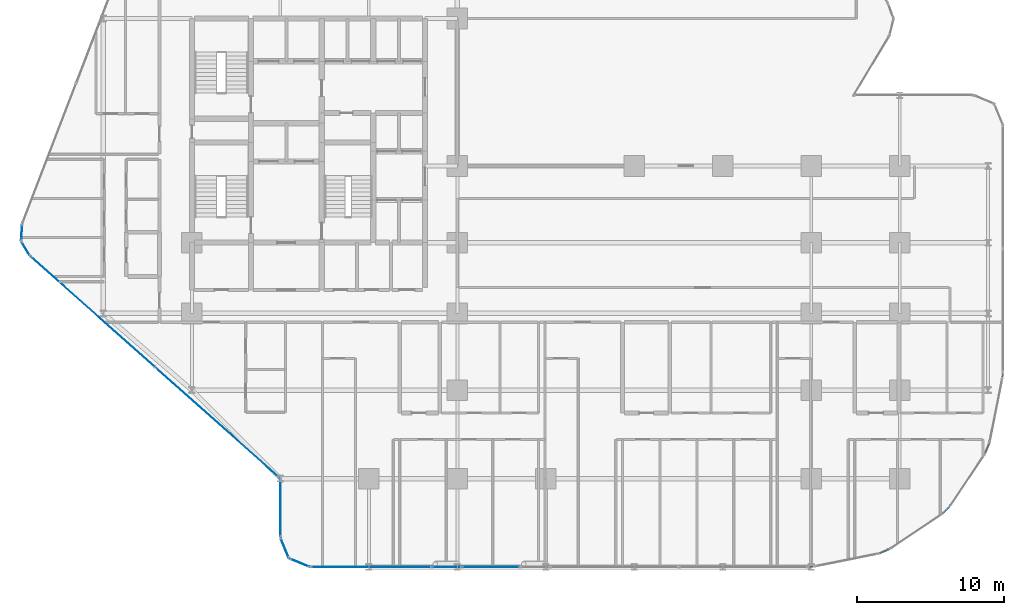
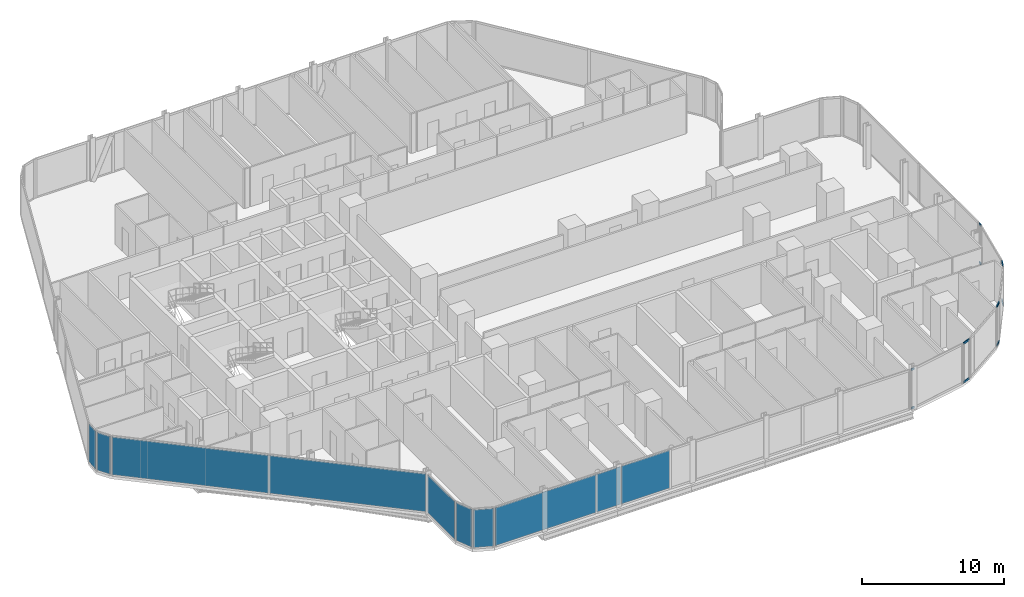
# One storey, part 20 of 33: 10 members, 10 plates, 14 elements without a shape of their own.
"""IFC4 building model written with IfcOpenShell, lengths in metres."""

import ifcopenshell
import ifcopenshell.guid

model = None  # the IFC model being written
_history = None  # IfcOwnerHistory: only IFC2X3 demands one
_inside = {}  # id of a spatial element -> (the spatial element, [elements in it])
_under = {}  # id of a project, library or spatial element -> (it, [spatial elements below it])
_declared = {}  # id of a project -> (the project, [libraries it declares])
_typed = {}  # id of a type object -> (the type object, [elements of that type])
_made_of = {}  # id of a material, layer set ... -> (it, [elements and type objects made of it])


def new_model(schema):
    """Start an empty IFC model of exactly this schema.

    Asked for "IFC4X3", IfcOpenShell would pick the latest addendum, in which some entities
    have other attributes; the version numbers below select the first issue.
    IFC2X3 requires an IfcOwnerHistory on every rooted entity: one is made here for all.
    """
    global model, _history
    if schema == "IFC4X3":
        model = ifcopenshell.file(schema_version=(4, 3, 0, 0))
    else:
        model = ifcopenshell.file(schema=schema)
    _inside.clear()
    _under.clear()
    _declared.clear()
    _typed.clear()
    _made_of.clear()
    _history = None
    if model.schema == "IFC2X3":
        org = make("IfcOrganization", Name="unknown")
        user = make(
            "IfcPersonAndOrganization",
            ThePerson=make("IfcPerson", FamilyName="unknown"),
            TheOrganization=org,
        )
        app = make(
            "IfcApplication",
            ApplicationDeveloper=org,
            Version="unknown",
            ApplicationFullName="unknown",
            ApplicationIdentifier="unknown",
        )
        _history = make(
            "IfcOwnerHistory",
            OwningUser=user,
            OwningApplication=app,
            ChangeAction="ADDED",
            CreationDate=0,
        )
    return model


def make(cls, **values):
    """One entity of the class cls with the attributes given. An attribute that is None is left unset."""
    return model.create_entity(
        cls, **{name: value for name, value in values.items() if value is not None}
    )


def rooted(cls, **values):
    """An entity with a GlobalId (a new one), such as an element, a storey or a relation."""
    return make(cls, GlobalId=ifcopenshell.guid.new(), OwnerHistory=_history, **values)


def si_unit(unit_type, name, prefix=None):
    """IfcSIUnit, for example si_unit("LENGTHUNIT", "METRE", prefix="MILLI")."""
    return make("IfcSIUnit", UnitType=unit_type, Prefix=prefix, Name=name)


def assignment(units):
    """IfcUnitAssignment: the units of a project."""
    return None if units is None else make("IfcUnitAssignment", Units=units)


def point(xyz):
    """IfcCartesianPoint."""
    return None if xyz is None else make("IfcCartesianPoint", Coordinates=xyz)


def direction(xyz):
    """IfcDirection."""
    return None if xyz is None else make("IfcDirection", DirectionRatios=xyz)


def frame(location, z_axis=None, x_axis=None):
    """IfcAxis2Placement3D, a coordinate frame: its origin and axes. An axis left out is left unset."""
    return make(
        "IfcAxis2Placement3D",
        Location=point(location),
        Axis=direction(z_axis),
        RefDirection=direction(x_axis),
    )


def frame_2d(location, x_axis=None):
    """IfcAxis2Placement2D, a coordinate frame in the plane: its origin and x axis."""
    return make(
        "IfcAxis2Placement2D", Location=point(location), RefDirection=direction(x_axis)
    )


def origin():
    """The frame at (0, 0, 0) with its axes left unset."""
    return frame((0.0, 0.0, 0.0))


def origin_2d():
    """The frame at (0, 0) in the plane with its x axis left unset."""
    return frame_2d((0.0, 0.0))


def place(relative_to, where):
    """IfcLocalPlacement: puts the frame where relative to a parent placement (None: the world)."""
    return make(
        "IfcLocalPlacement", PlacementRelTo=relative_to, RelativePlacement=where
    )


def context(
    kind, dimensions, precision=None, world=None, true_north=None, identifier=None
):
    """IfcGeometricRepresentationContext, for example the 3D "Model" context."""
    return make(
        "IfcGeometricRepresentationContext",
        ContextIdentifier=identifier,
        ContextType=kind,
        CoordinateSpaceDimension=dimensions,
        Precision=precision,
        WorldCoordinateSystem=world,
        TrueNorth=true_north,
    )


def subcontext(parent, identifier, kind, view, scale=None):
    """IfcGeometricRepresentationSubContext, for example "Body" below "Model"."""
    return make(
        "IfcGeometricRepresentationSubContext",
        ContextIdentifier=identifier,
        ContextType=kind,
        ParentContext=parent,
        TargetScale=scale,
        TargetView=view,
    )


def project(units=None, contexts=None):
    """IfcProject with its units and contexts."""
    return rooted(
        "IfcProject",
        Name="project",
        RepresentationContexts=contexts,
        UnitsInContext=assignment(units),
    )


def spatial(cls, under=None, at=None, **own):
    """A site, building, storey or space (cls), placed at a placement, below another one or the project."""
    s = rooted(cls, ObjectPlacement=at, **own)
    if under is not None:
        _under.setdefault(under.id(), (under, []))[1].append(s)
    return s


def profile(cls, at=None, kind="AREA", **sizes):
    """A parametric profile (cls). Its sizes go by their IFC names, for example OverallWidth=200.0."""
    return make(cls, ProfileType=kind, Position=at, **sizes)


def rectangle(**sizes):
    """IfcRectangleProfileDef."""
    return profile("IfcRectangleProfileDef", **sizes)


def hollow_rectangle(**sizes):
    """IfcRectangleHollowProfileDef."""
    return profile("IfcRectangleHollowProfileDef", **sizes)


def extrude(swept, where, along, depth):
    """IfcExtrudedAreaSolid: the profile swept, set in the frame where, extruded along a direction by depth."""
    return make(
        "IfcExtrudedAreaSolid",
        SweptArea=swept,
        Position=where,
        ExtrudedDirection=direction(along),
        Depth=depth,
    )


def shape(context_of_items, identifier, shape_type, items):
    """IfcShapeRepresentation: the items that make up one representation, for example the "Body"."""
    return make(
        "IfcShapeRepresentation",
        ContextOfItems=context_of_items,
        RepresentationIdentifier=identifier,
        RepresentationType=shape_type,
        Items=items,
    )


def material(Name=None, Category=None):
    """IfcMaterial."""
    return make("IfcMaterial", Name=Name, Category=Category)


def layer(
    of_material, thickness, ventilated=None, Name=None, Category=None, Priority=None
):
    """IfcMaterialLayer: one layer of a wall or slab, of a material (None: an air gap)."""
    return make(
        "IfcMaterialLayer",
        Material=of_material,
        LayerThickness=thickness,
        IsVentilated=ventilated,
        Name=Name,
        Category=Category,
        Priority=Priority,
    )


def layer_set(layers, Name=None):
    """IfcMaterialLayerSet."""
    return make("IfcMaterialLayerSet", MaterialLayers=layers, LayerSetName=Name)


def material_profile(
    of_material, cross_section, Name=None, Category=None, Priority=None
):
    """IfcMaterialProfile: a cross section and its material."""
    return make(
        "IfcMaterialProfile",
        Name=Name,
        Material=of_material,
        Profile=cross_section,
        Priority=Priority,
        Category=Category,
    )


def profile_set(profiles, Name=None, composite=None):
    """IfcMaterialProfileSet."""
    return make(
        "IfcMaterialProfileSet",
        Name=Name,
        MaterialProfiles=profiles,
        CompositeProfile=composite,
    )


def made_of(thing, what):
    """Note that an element or type object is made of a material, layer set ...; save() writes the relation."""
    if what is not None:
        _made_of.setdefault(what.id(), (what, []))[1].append(thing)
    return thing


def type_object(cls, material=None, **own):
    """A type object (cls), such as IfcWallType, which elements share."""
    return made_of(rooted(cls, **own), material)


def element(
    cls,
    number,
    at=None,
    inside=None,
    cuts=None,
    type_object=None,
    material=None,
    context=None,
    identifier="Body",
    shape_type=None,
    held_by="IfcProductDefinitionShape",
    body=None,
    shapes=None,
    **own,
):
    """One element of the class cls, such as IfcWall. Its Tag is "e" and its number.

    at: its placement. inside: the storey or other place that contains it. cuts: it is an
    opening in that element (IfcRelVoidsElement). A single representation is given by context,
    identifier, shape_type and body (its items); several are given by shapes. held_by: the class
    of the entity that holds the representations. save() writes the other relations.
    """
    e = rooted(cls, Tag="e%d" % number, ObjectPlacement=at, **own)
    if body is not None:
        shapes = [shape(context, identifier, shape_type, body)]
    if shapes is not None:
        e.Representation = make(held_by, Representations=shapes)
    if inside is not None:
        _inside.setdefault(inside.id(), (inside, []))[1].append(e)
    if cuts is not None:
        rooted(
            "IfcRelVoidsElement", RelatingBuildingElement=cuts, RelatedOpeningElement=e
        )
    if type_object is not None:
        _typed.setdefault(type_object.id(), (type_object, []))[1].append(e)
    return made_of(e, material)


def aggregate(whole, parts):
    """IfcRelAggregates: a whole, such as a stair, and the parts it consists of."""
    return rooted("IfcRelAggregates", RelatingObject=whole, RelatedObjects=parts)


def save(model, path):
    """Write the relations noted so far, then the file.

    IfcRelAggregates (storeys below a building ...), IfcRelContainedInSpatialStructure (elements
    in a storey), IfcRelDefinesByType, IfcRelAssociatesMaterial and IfcRelDeclares: one each for
    every whole, place, type object, material and project.
    """
    for whole, parts in _under.values():
        aggregate(whole, parts)
    for where, things in _inside.values():
        rooted(
            "IfcRelContainedInSpatialStructure",
            RelatedElements=things,
            RelatingStructure=where,
        )
    for kind, things in _typed.values():
        rooted("IfcRelDefinesByType", RelatedObjects=things, RelatingType=kind)
    for what, things in _made_of.values():
        rooted("IfcRelAssociatesMaterial", RelatedObjects=things, RelatingMaterial=what)
    for by, libraries in _declared.values():
        rooted("IfcRelDeclares", RelatingContext=by, RelatedDefinitions=libraries)
    model.write(path)


model = new_model("IFC4")

# Units and contexts
model_context = context("Model", 3, precision=1e-05, world=origin(), true_north=direction((0.0, 1.0)))
body_context = subcontext(model_context, "Body", "Model", "MODEL_VIEW")
ifc_project = project(units=[si_unit("LENGTHUNIT", "METRE"), si_unit("AREAUNIT", "SQUARE_METRE"), si_unit("VOLUMEUNIT", "CUBIC_METRE"), si_unit("PLANEANGLEUNIT", "RADIAN"), si_unit("MASSUNIT", "GRAM", prefix="KILO")], contexts=[model_context])

# Site, building, storey
site_placement = place(None, origin())
site = spatial("IfcSite", under=ifc_project, at=site_placement, CompositionType="ELEMENT")
building_placement = place(site_placement, origin())
building = spatial("IfcBuilding", under=site, at=building_placement, Name="Keshet Zoharim Tower", CompositionType="ELEMENT")
storey_placement = place(building_placement, frame((0.0, 0.0, 35.10009765625)))
storey = spatial("IfcBuildingStorey", under=building, at=storey_placement, Name="L07", CompositionType="ELEMENT", Elevation=35.10009765625)

# Curtain wall, members
ifc_material_1 = material(Name="Aluminium 6063-T6", Category="aluminium")
ifc_layer_1 = layer(ifc_material_1, 0.169921875)
ifc_layer_set_1 = layer_set([ifc_layer_1], Name="Aluminium 6063-T6")
curtain_wall_type_1 = type_object("IfcCurtainWallType", Name="CW-SYS-02", PredefinedType="NOTDEFINED", material=ifc_layer_set_1)
curtain_wall_1_placement = place(storey_placement, origin())
curtain_wall_1 = element("IfcCurtainWall", 1, at=curtain_wall_1_placement, inside=storey, type_object=curtain_wall_type_1, Name="L07 Unitised Curtain Wall 17", PredefinedType="NOTDEFINED")
ifc_material_profile = material_profile(ifc_material_1, hollow_rectangle(XDim=0.0849609375, YDim=0.159912109375, WallThickness=0.00439453125, at=origin_2d()), Name="TRN-85x160")
ifc_profile_set = profile_set([ifc_material_profile], Name="Aluminium 6063-T6")
member_type = type_object("IfcMemberType", Name="CWT-T16", PredefinedType="USERDEFINED", material=ifc_profile_set)
member_1_placement = place(storey_placement, frame((69.9931640625, 13.827392578125, 0.034912109375), z_axis=(-0.096912647607, -0.995292890929, 0.0), x_axis=(0.995292890929, -0.096912647607, 0.0)))
member_1 = element("IfcMember", 2, at=member_1_placement, type_object=member_type, Name="CW-02 transom 1.1", ObjectType="TRANSOM", PredefinedType="USERDEFINED", context=body_context, shape_type="SweptSolid", body=[
    extrude(hollow_rectangle(XDim=0.0849609375, YDim=0.159912109375, WallThickness=0.00439453125, at=origin_2d()), origin(), (0.0, 0.0, 1.0), 0.251953125),
])
member_2_placement = place(storey_placement, frame((69.9931640625, 13.827392578125, 3.349853515625), z_axis=(-0.096912647607, -0.995292890929, 0.0), x_axis=(0.995292890929, -0.096912647607, 0.0)))
member_2 = element("IfcMember", 3, at=member_2_placement, type_object=member_type, Name="CW-02 transom 1.2", ObjectType="TRANSOM", PredefinedType="USERDEFINED", context=body_context, shape_type="SweptSolid", body=[
    extrude(hollow_rectangle(XDim=0.0849609375, YDim=0.159912109375, WallThickness=0.00439453125, at=origin_2d()), origin(), (0.0, 0.0, 1.0), 0.251953125),
])
aggregate(curtain_wall_1, [member_1, member_2])

ifc_layer_2 = layer(ifc_material_1, 0.179931640625)
ifc_layer_set_2 = layer_set([ifc_layer_2], Name="Aluminium 6063-T6")
curtain_wall_type_2 = type_object("IfcCurtainWallType", Name="CW-SYS-01", PredefinedType="NOTDEFINED", material=ifc_layer_set_2)
curtain_wall_2_placement = place(storey_placement, origin())
curtain_wall_2 = element("IfcCurtainWall", 4, at=curtain_wall_2_placement, inside=storey, type_object=curtain_wall_type_2, Name="L07 Unitised Curtain Wall 19", PredefinedType="NOTDEFINED")
member_3_placement = place(storey_placement, frame((69.061279296875, 9.05029296875, 0.034912109375), z_axis=(-0.383126096215, -0.923696050874, 0.0), x_axis=(0.923696050874, -0.383126096215, 0.0)))
member_3 = element("IfcMember", 5, at=member_3_placement, type_object=member_type, Name="CW-01 transom 1.1", ObjectType="TRANSOM", PredefinedType="USERDEFINED", context=body_context, shape_type="SweptSolid", body=[
    extrude(hollow_rectangle(XDim=0.0849609375, YDim=0.159912109375, WallThickness=0.00439453125, at=origin_2d()), origin(), (0.0, 0.0, 1.0), 0.640380859375),
])
member_4_placement = place(storey_placement, frame((69.061279296875, 9.05029296875, 3.349853515625), z_axis=(-0.383126096215, -0.923696050874, 0.0), x_axis=(0.923696050874, -0.383126096215, 0.0)))
member_4 = element("IfcMember", 6, at=member_4_placement, type_object=member_type, Name="CW-01 transom 1.2", ObjectType="TRANSOM", PredefinedType="USERDEFINED", context=body_context, shape_type="SweptSolid", body=[
    extrude(hollow_rectangle(XDim=0.0849609375, YDim=0.159912109375, WallThickness=0.00439453125, at=origin_2d()), origin(), (0.0, 0.0, 1.0), 0.640380859375),
])
aggregate(curtain_wall_2, [member_3, member_4])

curtain_wall_3_placement = place(storey_placement, origin())
curtain_wall_3 = element("IfcCurtainWall", 7, at=curtain_wall_3_placement, inside=storey, type_object=curtain_wall_type_2, Name="L07 Unitised Curtain Wall 21", PredefinedType="NOTDEFINED")
member_5_placement = place(storey_placement, frame((66.363525390625, 4.78857421875, 0.034912109375), z_axis=(-0.707106781187, -0.707106781187, 0.0), x_axis=(0.707106781187, -0.707106781187, 0.0)))
member_5 = element("IfcMember", 8, at=member_5_placement, type_object=member_type, Name="CW-01 transom 1.1", ObjectType="TRANSOM", PredefinedType="USERDEFINED", context=body_context, shape_type="SweptSolid", body=[
    extrude(hollow_rectangle(XDim=0.0849609375, YDim=0.159912109375, WallThickness=0.00439453125, at=origin_2d()), origin(), (0.0, 0.0, 1.0), 0.639404296875),
])
member_6_placement = place(storey_placement, frame((66.363525390625, 4.78857421875, 3.349853515625), z_axis=(-0.707106781187, -0.707106781187, 0.0), x_axis=(0.707106781187, -0.707106781187, 0.0)))
member_6 = element("IfcMember", 9, at=member_6_placement, type_object=member_type, Name="CW-01 transom 1.2", ObjectType="TRANSOM", PredefinedType="USERDEFINED", context=body_context, shape_type="SweptSolid", body=[
    extrude(hollow_rectangle(XDim=0.0849609375, YDim=0.159912109375, WallThickness=0.00439453125, at=origin_2d()), origin(), (0.0, 0.0, 1.0), 0.639404296875),
])
aggregate(curtain_wall_3, [member_5, member_6])

curtain_wall_4_placement = place(storey_placement, origin())
curtain_wall_4 = element("IfcCurtainWall", 10, at=curtain_wall_4_placement, inside=storey, type_object=curtain_wall_type_2, Name="L07 Unitised Curtain Wall 23", PredefinedType="NOTDEFINED")
member_7_placement = place(storey_placement, frame((62.241455078125, 1.88427734375, 0.034912109375), z_axis=(-0.923751978938, -0.382991228891, 0.0), x_axis=(0.382991228891, -0.923751978938, 0.0)))
member_7 = element("IfcMember", 11, at=member_7_placement, type_object=member_type, Name="CW-01 transom 1.1", ObjectType="TRANSOM", PredefinedType="USERDEFINED", context=body_context, shape_type="SweptSolid", body=[
    extrude(hollow_rectangle(XDim=0.0849609375, YDim=0.159912109375, WallThickness=0.00439453125, at=origin_2d()), origin(), (0.0, 0.0, 1.0), 0.640625),
])
member_8_placement = place(storey_placement, frame((62.241455078125, 1.88427734375, 3.349853515625), z_axis=(-0.923751978938, -0.382991228891, 0.0), x_axis=(0.382991228891, -0.923751978938, 0.0)))
member_8 = element("IfcMember", 12, at=member_8_placement, type_object=member_type, Name="CW-01 transom 1.2", ObjectType="TRANSOM", PredefinedType="USERDEFINED", context=body_context, shape_type="SweptSolid", body=[
    extrude(hollow_rectangle(XDim=0.0849609375, YDim=0.159912109375, WallThickness=0.00439453125, at=origin_2d()), origin(), (0.0, 0.0, 1.0), 0.640625),
])
aggregate(curtain_wall_4, [member_7, member_8])

curtain_wall_5_placement = place(storey_placement, origin())
curtain_wall_5 = element("IfcCurtainWall", 13, at=curtain_wall_5_placement, inside=storey, type_object=curtain_wall_type_2, Name="L07 Unitised Curtain Wall 25", PredefinedType="NOTDEFINED")
member_9_placement = place(storey_placement, frame((57.123291015625, 0.731201171875, 0.034912109375), z_axis=(-0.995292890929, -0.096912647607, 0.0), x_axis=(0.096912647607, -0.995292890929, 0.0)))
member_9 = element("IfcMember", 14, at=member_9_placement, type_object=member_type, Name="CW-01 transom 1.1", ObjectType="TRANSOM", PredefinedType="USERDEFINED", context=body_context, shape_type="SweptSolid", body=[
    extrude(hollow_rectangle(XDim=0.0849609375, YDim=0.159912109375, WallThickness=0.00439453125, at=origin_2d()), origin(), (0.0, 0.0, 1.0), 0.251953125),
])
member_10_placement = place(storey_placement, frame((57.123291015625, 0.731201171875, 3.349853515625), z_axis=(-0.995292890929, -0.096912647607, 0.0), x_axis=(0.096912647607, -0.995292890929, 0.0)))
member_10 = element("IfcMember", 15, at=member_10_placement, type_object=member_type, Name="CW-01 transom 1.2", ObjectType="TRANSOM", PredefinedType="USERDEFINED", context=body_context, shape_type="SweptSolid", body=[
    extrude(hollow_rectangle(XDim=0.0849609375, YDim=0.159912109375, WallThickness=0.00439453125, at=origin_2d()), origin(), (0.0, 0.0, 1.0), 0.251953125),
])
aggregate(curtain_wall_5, [member_9, member_10])

# Curtain wall, plates
curtain_wall_6_placement = place(storey_placement, origin())
curtain_wall_6 = element("IfcCurtainWall", 16, at=curtain_wall_6_placement, inside=storey, type_object=curtain_wall_type_2, Name="L07 Unitised Curtain Wall 01", PredefinedType="NOTDEFINED")
ifc_material_2 = material(Name="Insulated Low-E Clear Glass", Category="glass")
ifc_layer_3 = layer(ifc_material_2, 0.035888671875)
ifc_layer_set_3 = layer_set([ifc_layer_3], Name="Insulated Low-E Clear Glass")
plate_type_1 = type_object("IfcPlateType", Name="CWP-01", PredefinedType="CURTAIN_PANEL", material=ifc_layer_set_3)
plate_1_placement = place(storey_placement, frame((16.74560546875, 10.481689453125, 0.06982421875), z_axis=(0.0, 0.0, 1.0), x_axis=(-0.747409318679, 0.664363838836, 0.0)))
plate_1 = element("IfcPlate", 17, at=plate_1_placement, type_object=plate_type_1, Name="CW-01 panel 1.1", PredefinedType="CURTAIN_PANEL", context=body_context, shape_type="SweptSolid", body=[
    extrude(rectangle(XDim=11.244140625, YDim=0.035888671875, at=origin_2d()), origin(), (0.0, 0.0, 1.0), 3.2451171875),
])
plate_2_placement = place(storey_placement, frame((8.289306640625, 17.998291015625, 0.06982421875), z_axis=(0.0, 0.0, 1.0), x_axis=(-0.747409318679, 0.664363838836, 0.0)))
plate_2 = element("IfcPlate", 18, at=plate_2_placement, type_object=plate_type_1, Name="CW-01 panel 2.1", PredefinedType="CURTAIN_PANEL", context=body_context, shape_type="SweptSolid", body=[
    extrude(rectangle(XDim=11.244140625, YDim=0.035888671875, at=origin_2d()), origin(), (0.0, 0.0, 1.0), 3.2451171875),
])
aggregate(curtain_wall_6, [plate_1, plate_2])

# Curtain wall, plate
curtain_wall_7_placement = place(storey_placement, origin())
curtain_wall_7 = element("IfcCurtainWall", 19, at=curtain_wall_7_placement, inside=storey, type_object=curtain_wall_type_2, Name="L07 Unitised Curtain Wall 02", PredefinedType="NOTDEFINED")
plate_3_placement = place(storey_placement, frame((3.7275390625, 22.291015625, 0.06982421875), z_axis=(0.0, 0.0, 1.0), x_axis=(-0.515604947933, 0.856826433805, 0.0)))
plate_3 = element("IfcPlate", 20, at=plate_3_placement, type_object=plate_type_1, Name="CW-01 panel 1.1", PredefinedType="CURTAIN_PANEL", context=body_context, shape_type="SweptSolid", body=[
    extrude(rectangle(XDim=1.052734375, YDim=0.035888671875, at=origin_2d()), origin(), (0.0, 0.0, 1.0), 3.2451171875),
])
aggregate(curtain_wall_7, [plate_3])

curtain_wall_8_placement = place(storey_placement, origin())
curtain_wall_8 = element("IfcCurtainWall", 21, at=curtain_wall_8_placement, inside=storey, type_object=curtain_wall_type_2, Name="L07 Unitised Curtain Wall 03", PredefinedType="NOTDEFINED")
plate_4_placement = place(storey_placement, frame((3.45849609375, 23.3974609375, 0.06982421875), z_axis=(0.0, 0.0, 1.0), x_axis=(0.064516859374, 0.997916617186, 0.0)))
plate_4 = element("IfcPlate", 22, at=plate_4_placement, type_object=plate_type_1, Name="CW-01 panel 1.1", PredefinedType="CURTAIN_PANEL", context=body_context, shape_type="SweptSolid", body=[
    extrude(rectangle(XDim=1.053466796875, YDim=0.035888671875, at=origin_2d()), origin(), (0.0, 0.0, 1.0), 3.2451171875),
])
aggregate(curtain_wall_8, [plate_4])

curtain_wall_9_placement = place(storey_placement, origin())
curtain_wall_9 = element("IfcCurtainWall", 23, at=curtain_wall_9_placement, inside=storey, type_object=curtain_wall_type_2, Name="L07 Unitised Curtain Wall 26 Part 3", PredefinedType="NOTDEFINED")
plate_5_placement = place(storey_placement, frame((35.284912109375, 0.699951171875, 0.06982421875), z_axis=(0.0, 0.0, 1.0), x_axis=(-1.0, 0.0, 0.0)))
plate_5 = element("IfcPlate", 24, at=plate_5_placement, type_object=plate_type_1, Name="CW-01 panel 1.1", PredefinedType="CURTAIN_PANEL", context=body_context, shape_type="SweptSolid", body=[
    extrude(rectangle(XDim=3.90478515625, YDim=0.035888671875, at=origin_2d()), origin(), (0.0, 0.0, 1.0), 3.2451171875),
])
aggregate(curtain_wall_9, [plate_5])

curtain_wall_10_placement = place(storey_placement, origin())
curtain_wall_10 = element("IfcCurtainWall", 25, at=curtain_wall_10_placement, inside=storey, type_object=curtain_wall_type_2, Name="L07 Unitised Curtain Wall 26 Part 5", PredefinedType="NOTDEFINED")
plate_6_placement = place(storey_placement, frame((27.15380859375, 0.699951171875, 0.06982421875), z_axis=(0.0, 0.0, 1.0), x_axis=(-1.0, 0.0, 0.0)))
plate_6 = element("IfcPlate", 26, at=plate_6_placement, type_object=plate_type_1, Name="CW-01 panel 1.1", PredefinedType="CURTAIN_PANEL", context=body_context, shape_type="SweptSolid", body=[
    extrude(rectangle(XDim=8.16748046875, YDim=0.035888671875, at=origin_2d()), origin(), (0.0, 0.0, 1.0), 3.2451171875),
])
aggregate(curtain_wall_10, [plate_6])

curtain_wall_11_placement = place(storey_placement, origin())
curtain_wall_11 = element("IfcCurtainWall", 27, at=curtain_wall_11_placement, inside=storey, type_object=curtain_wall_type_2, Name="L07 Unitised Curtain Wall 27", PredefinedType="NOTDEFINED")
plate_7_placement = place(storey_placement, frame((22.29296875, 0.992919921875, 0.06982421875), z_axis=(0.0, 0.0, 1.0), x_axis=(-0.92380975372, 0.382851849847, 0.0)))
plate_7 = element("IfcPlate", 28, at=plate_7_placement, type_object=plate_type_1, Name="CW-01 panel 1.1", PredefinedType="CURTAIN_PANEL", context=body_context, shape_type="SweptSolid", body=[
    extrude(rectangle(XDim=1.390625, YDim=0.035888671875, at=origin_2d()), origin(), (0.0, 0.0, 1.0), 3.2451171875),
])
aggregate(curtain_wall_11, [plate_7])

curtain_wall_12_placement = place(storey_placement, origin())
curtain_wall_12 = element("IfcCurtainWall", 29, at=curtain_wall_12_placement, inside=storey, type_object=curtain_wall_type_2, Name="L07 Unitised Curtain Wall 28", PredefinedType="NOTDEFINED")
plate_8_placement = place(storey_placement, frame((21.29296875, 1.992919921875, 0.06982421875), z_axis=(0.0, 0.0, 1.0), x_axis=(-0.382851849847, 0.92380975372, 0.0)))
plate_8 = element("IfcPlate", 30, at=plate_8_placement, type_object=plate_type_1, Name="CW-01 panel 1.1", PredefinedType="CURTAIN_PANEL", context=body_context, shape_type="SweptSolid", body=[
    extrude(rectangle(XDim=1.390625, YDim=0.035888671875, at=origin_2d()), origin(), (0.0, 0.0, 1.0), 3.2451171875),
])
aggregate(curtain_wall_12, [plate_8])

curtain_wall_13_placement = place(storey_placement, origin())
curtain_wall_13 = element("IfcCurtainWall", 31, at=curtain_wall_13_placement, inside=storey, type_object=curtain_wall_type_2, Name="L07 Unitised Curtain Wall 29", PredefinedType="NOTDEFINED")
plate_9_placement = place(storey_placement, frame((21.0, 4.699951171875, 0.06982421875), z_axis=(0.0, 0.0, 1.0), x_axis=(0.0, 1.0, 0.0)))
plate_9 = element("IfcPlate", 32, at=plate_9_placement, type_object=plate_type_1, Name="CW-01 panel 1.1", PredefinedType="CURTAIN_PANEL", context=body_context, shape_type="SweptSolid", body=[
    extrude(rectangle(XDim=3.860107421875, YDim=0.035888671875, at=origin_2d()), origin(), (0.0, 0.0, 1.0), 3.2451171875),
])
aggregate(curtain_wall_13, [plate_9])

curtain_wall_14_placement = place(storey_placement, origin())
curtain_wall_14 = element("IfcCurtainWall", 33, at=curtain_wall_14_placement, inside=storey, type_object=curtain_wall_type_2, Name="L07 Unitised Curtain Wall 26 Part 4", PredefinedType="NOTDEFINED")
ifc_material_3 = material(Name="Insulated Aluminium Spandrel Panel", Category="aluminium")
ifc_layer_4 = layer(ifc_material_3, 0.035888671875)
ifc_layer_set_4 = layer_set([ifc_layer_4], Name="Insulated Aluminium Spandrel Panel")
plate_type_2 = type_object("IfcPlateType", Name="CWP-04", PredefinedType="CURTAIN_PANEL", material=ifc_layer_set_4)
plate_10_placement = place(storey_placement, frame((32.284912109375, 0.699951171875, 0.06982421875), z_axis=(0.0, 0.0, 1.0), x_axis=(-1.0, 0.0, 0.0)))
plate_10 = element("IfcPlate", 34, at=plate_10_placement, type_object=plate_type_2, Name="CW-01 spandrel panel 1.1", PredefinedType="CURTAIN_PANEL", context=body_context, shape_type="SweptSolid", body=[
    extrude(rectangle(XDim=1.955078125, YDim=0.035888671875, at=origin_2d()), origin(), (0.0, 0.0, 1.0), 3.2451171875),
])
aggregate(curtain_wall_14, [plate_10])

save(model, "model.ifc")
